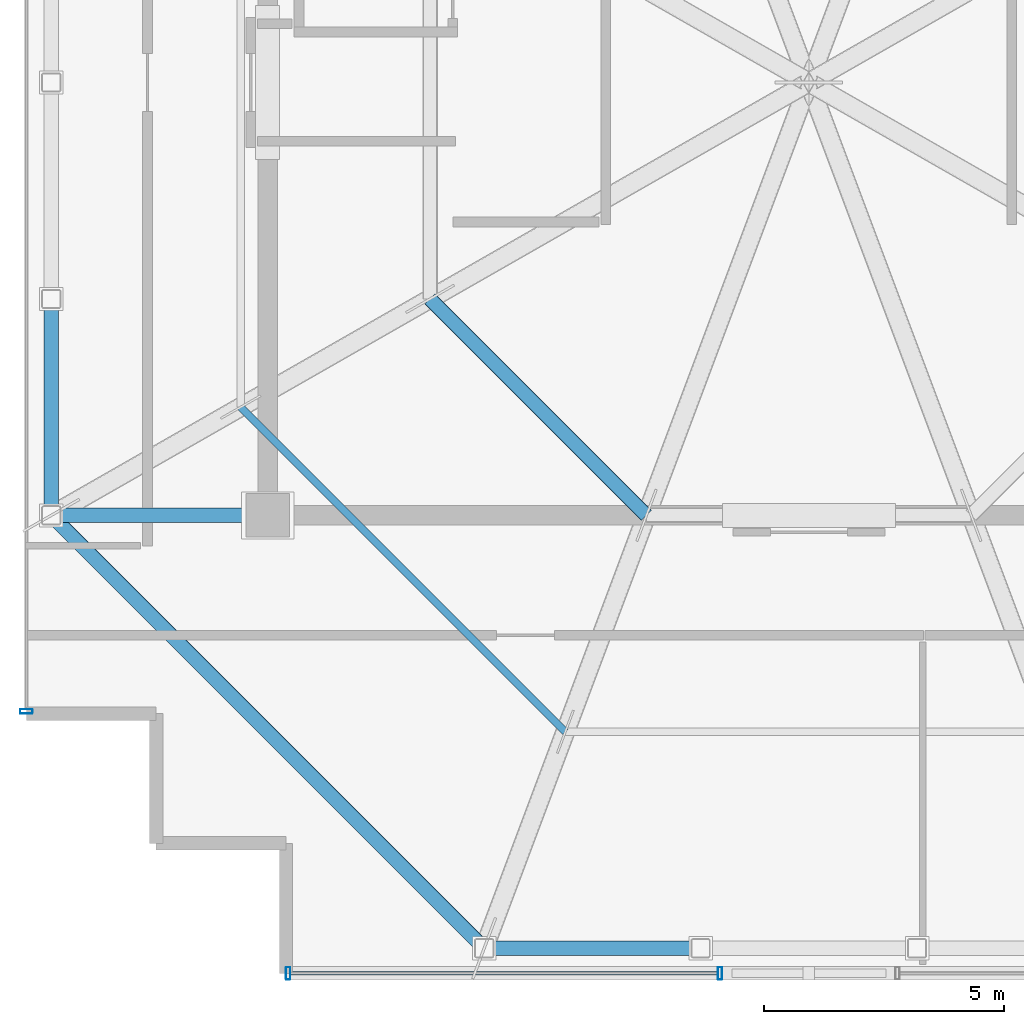
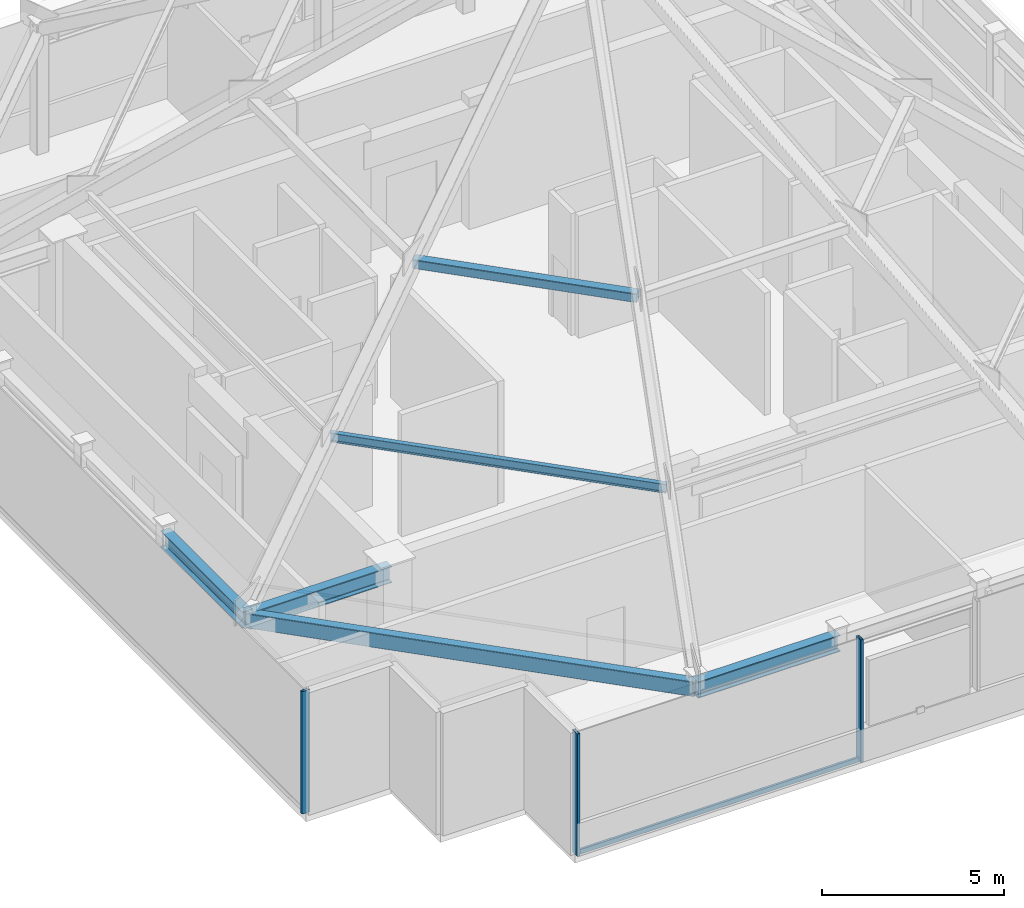
# One storey, part 2 of 17: 6 members, 4 beams, 2 elements without a shape of their own.
"""IFC4 building model written with IfcOpenShell, lengths in metres."""

import ifcopenshell
import ifcopenshell.guid

model = None  # the IFC model being written
_history = None  # IfcOwnerHistory: only IFC2X3 demands one
_inside = {}  # id of a spatial element -> (the spatial element, [elements in it])
_under = {}  # id of a project, library or spatial element -> (it, [spatial elements below it])
_declared = {}  # id of a project -> (the project, [libraries it declares])
_typed = {}  # id of a type object -> (the type object, [elements of that type])
_made_of = {}  # id of a material, layer set ... -> (it, [elements and type objects made of it])


def new_model(schema):
    """Start an empty IFC model of exactly this schema.

    Asked for "IFC4X3", IfcOpenShell would pick the latest addendum, in which some entities
    have other attributes; the version numbers below select the first issue.
    IFC2X3 requires an IfcOwnerHistory on every rooted entity: one is made here for all.
    """
    global model, _history
    if schema == "IFC4X3":
        model = ifcopenshell.file(schema_version=(4, 3, 0, 0))
    else:
        model = ifcopenshell.file(schema=schema)
    _inside.clear()
    _under.clear()
    _declared.clear()
    _typed.clear()
    _made_of.clear()
    _history = None
    if model.schema == "IFC2X3":
        org = make("IfcOrganization", Name="unknown")
        user = make(
            "IfcPersonAndOrganization",
            ThePerson=make("IfcPerson", FamilyName="unknown"),
            TheOrganization=org,
        )
        app = make(
            "IfcApplication",
            ApplicationDeveloper=org,
            Version="unknown",
            ApplicationFullName="unknown",
            ApplicationIdentifier="unknown",
        )
        _history = make(
            "IfcOwnerHistory",
            OwningUser=user,
            OwningApplication=app,
            ChangeAction="ADDED",
            CreationDate=0,
        )
    return model


def make(cls, **values):
    """One entity of the class cls with the attributes given. An attribute that is None is left unset."""
    return model.create_entity(
        cls, **{name: value for name, value in values.items() if value is not None}
    )


def rooted(cls, **values):
    """An entity with a GlobalId (a new one), such as an element, a storey or a relation."""
    return make(cls, GlobalId=ifcopenshell.guid.new(), OwnerHistory=_history, **values)


def si_unit(unit_type, name, prefix=None):
    """IfcSIUnit, for example si_unit("LENGTHUNIT", "METRE", prefix="MILLI")."""
    return make("IfcSIUnit", UnitType=unit_type, Prefix=prefix, Name=name)


def assignment(units):
    """IfcUnitAssignment: the units of a project."""
    return None if units is None else make("IfcUnitAssignment", Units=units)


def point(xyz):
    """IfcCartesianPoint."""
    return None if xyz is None else make("IfcCartesianPoint", Coordinates=xyz)


def direction(xyz):
    """IfcDirection."""
    return None if xyz is None else make("IfcDirection", DirectionRatios=xyz)


def frame(location, z_axis=None, x_axis=None):
    """IfcAxis2Placement3D, a coordinate frame: its origin and axes. An axis left out is left unset."""
    return make(
        "IfcAxis2Placement3D",
        Location=point(location),
        Axis=direction(z_axis),
        RefDirection=direction(x_axis),
    )


def frame_2d(location, x_axis=None):
    """IfcAxis2Placement2D, a coordinate frame in the plane: its origin and x axis."""
    return make(
        "IfcAxis2Placement2D", Location=point(location), RefDirection=direction(x_axis)
    )


def origin():
    """The frame at (0, 0, 0) with its axes left unset."""
    return frame((0.0, 0.0, 0.0))


def origin_2d():
    """The frame at (0, 0) in the plane with its x axis left unset."""
    return frame_2d((0.0, 0.0))


def place(relative_to, where):
    """IfcLocalPlacement: puts the frame where relative to a parent placement (None: the world)."""
    return make(
        "IfcLocalPlacement", PlacementRelTo=relative_to, RelativePlacement=where
    )


def context(
    kind, dimensions, precision=None, world=None, true_north=None, identifier=None
):
    """IfcGeometricRepresentationContext, for example the 3D "Model" context."""
    return make(
        "IfcGeometricRepresentationContext",
        ContextIdentifier=identifier,
        ContextType=kind,
        CoordinateSpaceDimension=dimensions,
        Precision=precision,
        WorldCoordinateSystem=world,
        TrueNorth=true_north,
    )


def subcontext(parent, identifier, kind, view, scale=None):
    """IfcGeometricRepresentationSubContext, for example "Body" below "Model"."""
    return make(
        "IfcGeometricRepresentationSubContext",
        ContextIdentifier=identifier,
        ContextType=kind,
        ParentContext=parent,
        TargetScale=scale,
        TargetView=view,
    )


def project(units=None, contexts=None):
    """IfcProject with its units and contexts."""
    return rooted(
        "IfcProject",
        Name="project",
        RepresentationContexts=contexts,
        UnitsInContext=assignment(units),
    )


def spatial(cls, under=None, at=None, **own):
    """A site, building, storey or space (cls), placed at a placement, below another one or the project."""
    s = rooted(cls, ObjectPlacement=at, **own)
    if under is not None:
        _under.setdefault(under.id(), (under, []))[1].append(s)
    return s


def profile(cls, at=None, kind="AREA", **sizes):
    """A parametric profile (cls). Its sizes go by their IFC names, for example OverallWidth=200.0."""
    return make(cls, ProfileType=kind, Position=at, **sizes)


def hollow_rectangle(**sizes):
    """IfcRectangleHollowProfileDef."""
    return profile("IfcRectangleHollowProfileDef", **sizes)


def i_section(**sizes):
    """IfcIShapeProfileDef."""
    return profile("IfcIShapeProfileDef", **sizes)


def extrude(swept, where, along, depth):
    """IfcExtrudedAreaSolid: the profile swept, set in the frame where, extruded along a direction by depth."""
    return make(
        "IfcExtrudedAreaSolid",
        SweptArea=swept,
        Position=where,
        ExtrudedDirection=direction(along),
        Depth=depth,
    )


def shape(context_of_items, identifier, shape_type, items):
    """IfcShapeRepresentation: the items that make up one representation, for example the "Body"."""
    return make(
        "IfcShapeRepresentation",
        ContextOfItems=context_of_items,
        RepresentationIdentifier=identifier,
        RepresentationType=shape_type,
        Items=items,
    )


def source(mapping_origin, context_of_items, identifier, shape_type, items):
    """IfcRepresentationMap: a shape defined once, which mapped items show again and again."""
    return make(
        "IfcRepresentationMap",
        MappingOrigin=mapping_origin,
        MappedRepresentation=shape(context_of_items, identifier, shape_type, items),
    )


def transform(
    local_origin,
    x_axis=None,
    y_axis=None,
    z_axis=None,
    scale=None,
    scale2=None,
    scale3=None,
    uniform=True,
):
    """IfcCartesianTransformationOperator3D, or its non-uniform kind. x_axis, y_axis, z_axis: its Axis1, 2, 3."""
    if uniform:
        return make(
            "IfcCartesianTransformationOperator3D",
            Axis1=direction(x_axis),
            Axis2=direction(y_axis),
            LocalOrigin=point(local_origin),
            Scale=scale,
            Axis3=direction(z_axis),
        )
    return make(
        "IfcCartesianTransformationOperator3DnonUniform",
        Axis1=direction(x_axis),
        Axis2=direction(y_axis),
        LocalOrigin=point(local_origin),
        Scale=scale,
        Axis3=direction(z_axis),
        Scale2=scale2,
        Scale3=scale3,
    )


def mapped(mapping_source, mapping_target):
    """IfcMappedItem: shows the shape of a source again, moved by a transform."""
    return make(
        "IfcMappedItem", MappingSource=mapping_source, MappingTarget=mapping_target
    )


def material(Name=None, Category=None):
    """IfcMaterial."""
    return make("IfcMaterial", Name=Name, Category=Category)


def layer(
    of_material, thickness, ventilated=None, Name=None, Category=None, Priority=None
):
    """IfcMaterialLayer: one layer of a wall or slab, of a material (None: an air gap)."""
    return make(
        "IfcMaterialLayer",
        Material=of_material,
        LayerThickness=thickness,
        IsVentilated=ventilated,
        Name=Name,
        Category=Category,
        Priority=Priority,
    )


def layer_set(layers, Name=None):
    """IfcMaterialLayerSet."""
    return make("IfcMaterialLayerSet", MaterialLayers=layers, LayerSetName=Name)


def material_profile(
    of_material, cross_section, Name=None, Category=None, Priority=None
):
    """IfcMaterialProfile: a cross section and its material."""
    return make(
        "IfcMaterialProfile",
        Name=Name,
        Material=of_material,
        Profile=cross_section,
        Priority=Priority,
        Category=Category,
    )


def profile_set(profiles, Name=None, composite=None):
    """IfcMaterialProfileSet."""
    return make(
        "IfcMaterialProfileSet",
        Name=Name,
        MaterialProfiles=profiles,
        CompositeProfile=composite,
    )


def made_of(thing, what):
    """Note that an element or type object is made of a material, layer set ...; save() writes the relation."""
    if what is not None:
        _made_of.setdefault(what.id(), (what, []))[1].append(thing)
    return thing


def type_object(cls, material=None, **own):
    """A type object (cls), such as IfcWallType, which elements share."""
    return made_of(rooted(cls, **own), material)


def element(
    cls,
    number,
    at=None,
    inside=None,
    cuts=None,
    type_object=None,
    material=None,
    context=None,
    identifier="Body",
    shape_type=None,
    held_by="IfcProductDefinitionShape",
    body=None,
    shapes=None,
    **own,
):
    """One element of the class cls, such as IfcWall. Its Tag is "e" and its number.

    at: its placement. inside: the storey or other place that contains it. cuts: it is an
    opening in that element (IfcRelVoidsElement). A single representation is given by context,
    identifier, shape_type and body (its items); several are given by shapes. held_by: the class
    of the entity that holds the representations. save() writes the other relations.
    """
    e = rooted(cls, Tag="e%d" % number, ObjectPlacement=at, **own)
    if body is not None:
        shapes = [shape(context, identifier, shape_type, body)]
    if shapes is not None:
        e.Representation = make(held_by, Representations=shapes)
    if inside is not None:
        _inside.setdefault(inside.id(), (inside, []))[1].append(e)
    if cuts is not None:
        rooted(
            "IfcRelVoidsElement", RelatingBuildingElement=cuts, RelatedOpeningElement=e
        )
    if type_object is not None:
        _typed.setdefault(type_object.id(), (type_object, []))[1].append(e)
    return made_of(e, material)


def aggregate(whole, parts):
    """IfcRelAggregates: a whole, such as a stair, and the parts it consists of."""
    return rooted("IfcRelAggregates", RelatingObject=whole, RelatedObjects=parts)


def save(model, path):
    """Write the relations noted so far, then the file.

    IfcRelAggregates (storeys below a building ...), IfcRelContainedInSpatialStructure (elements
    in a storey), IfcRelDefinesByType, IfcRelAssociatesMaterial and IfcRelDeclares: one each for
    every whole, place, type object, material and project.
    """
    for whole, parts in _under.values():
        aggregate(whole, parts)
    for where, things in _inside.values():
        rooted(
            "IfcRelContainedInSpatialStructure",
            RelatedElements=things,
            RelatingStructure=where,
        )
    for kind, things in _typed.values():
        rooted("IfcRelDefinesByType", RelatedObjects=things, RelatingType=kind)
    for what, things in _made_of.values():
        rooted("IfcRelAssociatesMaterial", RelatedObjects=things, RelatingMaterial=what)
    for by, libraries in _declared.values():
        rooted("IfcRelDeclares", RelatingContext=by, RelatedDefinitions=libraries)
    model.write(path)


model = new_model("IFC4")

# Units and contexts
model_context = context("Model", 3, precision=1e-05, world=origin(), true_north=direction((0.0, 1.0)))
body_context = subcontext(model_context, "Body", "Model", "MODEL_VIEW")
ifc_project = project(units=[si_unit("LENGTHUNIT", "METRE"), si_unit("AREAUNIT", "SQUARE_METRE"), si_unit("VOLUMEUNIT", "CUBIC_METRE"), si_unit("PLANEANGLEUNIT", "RADIAN"), si_unit("MASSUNIT", "GRAM", prefix="KILO")], contexts=[model_context])

# Site, building, storey
site_placement = place(None, origin())
site = spatial("IfcSite", under=ifc_project, at=site_placement, CompositionType="ELEMENT")
building_placement = place(site_placement, origin())
building = spatial("IfcBuilding", under=site, at=building_placement, Name="Nefas-Gora Pilgrimage Tower", CompositionType="ELEMENT")
storey_placement = place(building_placement, frame((0.0, 0.0, 367.39990234375)))
storey = spatial("IfcBuildingStorey", under=building, at=storey_placement, Name="L92", CompositionType="ELEMENT", Elevation=367.39990234375)

# Beams
ifc_material_1 = material(Name="Steel S355", Category="steel")
ifc_material_profile_1 = material_profile(ifc_material_1, i_section(OverallWidth=0.300048828125, OverallDepth=0.550048828125, WebThickness=0.014892578125, FlangeThickness=0.029052734375, FilletRadius=0.027099609375, at=origin_2d()), Name="HEB 550")
ifc_profile_set_1 = profile_set([ifc_material_profile_1], Name="Steel S355")
beam_type_1 = type_object("IfcBeamType", Name="BM-SPN-HEB400", PredefinedType="SPANDREL", material=ifc_profile_set_1)
shared_shape_1 = source(origin(), body_context, "Body", "SweptSolid", [
    extrude(i_section(OverallWidth=0.300048828125, OverallDepth=0.550048828125, WebThickness=0.014892578125, FlangeThickness=0.029052734375, FilletRadius=0.027099609375, at=origin_2d()), origin(), (0.0, 0.0, 1.0), 4.5),
])
for number, where, z_axis, x_axis, name in (
    (1, (-15.75, -9.0, 3.8251953125), (0.0, 1.0, 0.0), (-1.0, 0.0, 0.0), "L92 SP-04 beam"),
    (2, (-6.75, -18.0, 3.8251953125), (1.0, 0.0, 0.0), (0.0, 1.0, 0.0), "L92 SP-04 beam"),
):
    element("IfcBeam", number, at=place(storey_placement, frame(where, z_axis=z_axis, x_axis=x_axis)), inside=storey, type_object=beam_type_1, Name=name, PredefinedType="SPANDREL", context=body_context, shape_type="MappedRepresentation", body=[
        mapped(shared_shape_1, transform((0.0, 0.0, 0.0), x_axis=(1.0, 0.0, 0.0), y_axis=(0.0, 1.0, 0.0), z_axis=(0.0, 0.0, 1.0), scale=1.0)),
    ])
ifc_material_profile_2 = material_profile(ifc_material_1, i_section(OverallWidth=0.300048828125, OverallDepth=0.550048828125, WebThickness=0.014892578125, FlangeThickness=0.029052734375, FilletRadius=0.027099609375, at=origin_2d()), Name="HEB 550")
ifc_profile_set_2 = profile_set([ifc_material_profile_2], Name="Steel S355")
beam_type_2 = type_object("IfcBeamType", Name="BM-GIR-HEB550", PredefinedType="BEAM", material=ifc_profile_set_2)
shared_shape_2 = source(origin(), body_context, "Body", "SweptSolid", [
    extrude(i_section(OverallWidth=0.300048828125, OverallDepth=0.550048828125, WebThickness=0.014892578125, FlangeThickness=0.029052734375, FilletRadius=0.027099609375, at=origin_2d()), origin(), (0.0, 0.0, 1.0), 4.5),
])
beam_1_placement = place(storey_placement, frame((-15.75, -9.0, 3.8251953125), z_axis=(1.0, 0.0, 0.0), x_axis=(0.0, 1.0, 0.0)))
element("IfcBeam", 3, at=beam_1_placement, inside=storey, type_object=beam_type_2, Name="L92 G-05 beam", PredefinedType="BEAM", context=body_context, shape_type="MappedRepresentation", body=[
    mapped(shared_shape_2, transform((0.0, 0.0, 0.0), x_axis=(1.0, 0.0, 0.0), y_axis=(0.0, 1.0, 0.0), z_axis=(0.0, 0.0, 1.0), scale=1.0)),
])
ifc_material_2 = material(Name="Steel S460", Category="steel")
ifc_material_profile_3 = material_profile(ifc_material_2, hollow_rectangle(XDim=0.300048828125, YDim=0.5, WallThickness=0.02001953125, InnerFilletRadius=0.02001953125, OuterFilletRadius=0.0400390625, at=origin_2d()), Name="RHS 500x300x20")
ifc_profile_set_3 = profile_set([ifc_material_profile_3], Name="Steel S460")
beam_type_3 = type_object("IfcBeamType", Name="BM-RING-RHS500", PredefinedType="SPANDREL", material=ifc_profile_set_3)
shared_shape_3 = source(origin(), body_context, "Body", "SweptSolid", [
    extrude(hollow_rectangle(XDim=0.300048828125, YDim=0.5, WallThickness=0.02001953125, InnerFilletRadius=0.02001953125, OuterFilletRadius=0.0400390625, at=origin_2d()), origin(), (0.0, 0.0, 1.0), 12.72802734375),
])
beam_2_placement = place(storey_placement, frame((-15.75, -9.0, 3.85009765625), z_axis=(0.707106781187, -0.707106781187, 0.0), x_axis=(0.707106781187, 0.707106781187, 0.0)))
element("IfcBeam", 4, at=beam_2_placement, inside=storey, type_object=beam_type_3, Name="CROWN FRAME Base Ring Beam 6", PredefinedType="SPANDREL", context=body_context, shape_type="MappedRepresentation", body=[
    mapped(shared_shape_3, transform((0.0, 0.0, 0.0), x_axis=(1.0, 0.0, 0.0), y_axis=(0.0, 1.0, 0.0), z_axis=(0.0, 0.0, 1.0), scale=1.0)),
])

# Members
ifc_material_profile_4 = material_profile(ifc_material_2, hollow_rectangle(XDim=0.300048828125, YDim=0.300048828125, WallThickness=0.01611328125, InnerFilletRadius=0.01611328125, OuterFilletRadius=0.031982421875, at=origin_2d()), Name="SHS 300x300x16")
ifc_profile_set_4 = profile_set([ifc_material_profile_4], Name="Steel S460")
member_type_1 = type_object("IfcMemberType", Name="MEM-CROWN-RING", PredefinedType="STRUT", material=ifc_profile_set_4)
shared_shape_4 = source(origin(), body_context, "Body", "SweptSolid", [
    extrude(hollow_rectangle(XDim=0.300048828125, YDim=0.300048828125, WallThickness=0.01611328125, InnerFilletRadius=0.01611328125, OuterFilletRadius=0.031982421875, at=origin_2d()), origin(), (0.0, 0.0, 1.0), 6.364013671875),
])
member_1_placement = place(storey_placement, frame((-7.875, -4.5, 10.31005859375), z_axis=(0.707106781187, -0.707106781187, 0.0), x_axis=(0.707106781187, 0.707106781187, 0.0)))
element("IfcMember", 5, at=member_1_placement, inside=storey, type_object=member_type_1, Name="CROWN FRAME Mid-Height Compression Strut 6", PredefinedType="STRUT", context=body_context, shape_type="MappedRepresentation", body=[
    mapped(shared_shape_4, transform((0.0, 0.0, 0.0), x_axis=(1.0, 0.0, 0.0), y_axis=(0.0, 1.0, 0.0), z_axis=(0.0, 0.0, 1.0), scale=1.0)),
])
ifc_material_profile_5 = material_profile(ifc_material_1, i_section(OverallWidth=0.14990234375, OverallDepth=0.300048828125, WebThickness=0.007080078125, FlangeThickness=0.0107421875, FilletRadius=0.014892578125, at=origin_2d()), Name="IPE 300")
ifc_profile_set_5 = profile_set([ifc_material_profile_5], Name="Steel S355")
member_type_2 = type_object("IfcMemberType", Name="MEM-CROWN-PURLIN", PredefinedType="PURLIN", material=ifc_profile_set_5)
shared_shape_5 = source(origin(), body_context, "Body", "SweptSolid", [
    extrude(i_section(OverallWidth=0.14990234375, OverallDepth=0.300048828125, WebThickness=0.007080078125, FlangeThickness=0.0107421875, FilletRadius=0.014892578125, at=origin_2d()), origin(), (0.0, 0.0, 1.0), 9.5458984375),
])
member_2_placement = place(storey_placement, frame((-11.8125, -6.75, 7.205078125), z_axis=(0.707106781187, -0.707106781187, 0.0), x_axis=(0.707106781187, 0.707106781187, 0.0)))
element("IfcMember", 6, at=member_2_placement, inside=storey, type_object=member_type_2, Name="CROWN FRAME Facet Purlin 6", PredefinedType="PURLIN", context=body_context, shape_type="MappedRepresentation", body=[
    mapped(shared_shape_5, transform((0.0, 0.0, 0.0), x_axis=(1.0, 0.0, 0.0), y_axis=(0.0, 1.0, 0.0), z_axis=(0.0, 0.0, 1.0), scale=1.0)),
])

# Curtain wall, member
ifc_material_3 = material(Name="Dark ceramic-fritted solar-control aluminium-glass curtain wall", Category="aluminium")
ifc_layer = layer(ifc_material_3, 0.219970703125)
ifc_layer_set = layer_set([ifc_layer], Name="Dark ceramic-fritted solar-control aluminium-glass curtain wall")
curtain_wall_type = type_object("IfcCurtainWallType", Name="CW-SYS-6", PredefinedType="NOTDEFINED", material=ifc_layer_set)
curtain_wall_1_placement = place(storey_placement, origin())
curtain_wall_1 = element("IfcCurtainWall", 7, at=curtain_wall_1_placement, inside=storey, type_object=curtain_wall_type, Name="L92 Unitised Curtain Wall CW6", PredefinedType="NOTDEFINED")
ifc_material_4 = material(Name="Anodised architectural aluminium", Category="aluminium")
ifc_material_profile_6 = material_profile(ifc_material_4, hollow_rectangle(XDim=0.080078125, YDim=0.159912109375, WallThickness=0.00439453125, InnerFilletRadius=0.00439453125, OuterFilletRadius=0.009033203125, at=origin_2d()), Name="ALU TRANSOM 80x160")
ifc_profile_set_6 = profile_set([ifc_material_profile_6], Name="Anodised architectural aluminium")
member_type_3 = type_object("IfcMemberType", Name="CWM-TRN-6", PredefinedType="USERDEFINED", material=ifc_profile_set_6)
shared_shape_6 = source(origin(), body_context, "Body", "SweptSolid", [
    extrude(hollow_rectangle(XDim=0.080078125, YDim=0.159912109375, WallThickness=0.00439453125, InnerFilletRadius=0.00439453125, OuterFilletRadius=0.009033203125, at=origin_2d()), origin(), (0.0, 0.0, 1.0), 8.89013671875),
])
member_3_placement = place(storey_placement, frame((-10.780029296875, -18.52001953125, 0.050048828125), z_axis=(1.0, 0.0, 0.0), x_axis=(0.0, 1.0, 0.0)))
member_3 = element("IfcMember", 8, at=member_3_placement, type_object=member_type_3, Name="CW6 Spandrel Transom", ObjectType="TRANSOM", PredefinedType="USERDEFINED", context=body_context, shape_type="MappedRepresentation", body=[
    mapped(shared_shape_6, transform((0.0, 0.0, 0.0), x_axis=(1.0, 0.0, 0.0), y_axis=(0.0, 1.0, 0.0), z_axis=(0.0, 0.0, 1.0), scale=1.0)),
])

curtain_wall_2_placement = place(storey_placement, origin())
curtain_wall_2 = element("IfcCurtainWall", 9, at=curtain_wall_2_placement, inside=storey, type_object=curtain_wall_type, Name="L92 Unitised Curtain Wall CW6", PredefinedType="NOTDEFINED")
ifc_material_profile_7 = material_profile(ifc_material_4, hollow_rectangle(XDim=0.090087890625, YDim=0.260009765625, WallThickness=0.006103515625, InnerFilletRadius=0.006103515625, OuterFilletRadius=0.011962890625, at=origin_2d()), Name="ALU MULLION 90x260")
ifc_profile_set_7 = profile_set([ifc_material_profile_7], Name="Anodised architectural aluminium")
member_type_4 = type_object("IfcMemberType", Name="CWM-MUL-6", PredefinedType="MULLION", material=ifc_profile_set_7)
shared_shape_7 = source(origin(), body_context, "Body", "SweptSolid", [
    extrude(hollow_rectangle(XDim=0.090087890625, YDim=0.260009765625, WallThickness=0.006103515625, InnerFilletRadius=0.006103515625, OuterFilletRadius=0.011962890625, at=origin_2d()), origin(), (0.0, 0.0, 1.0), 4.10009765625),
])
member_4_placement = place(storey_placement, frame((-16.27001953125, -13.074951171875, 0.0), z_axis=(0.0, 0.0, 1.0), x_axis=(0.0, -1.0, 0.0)))
member_4 = element("IfcMember", 10, at=member_4_placement, type_object=member_type_4, Name="CW6 Mullion 2", PredefinedType="MULLION", context=body_context, shape_type="MappedRepresentation", body=[
    mapped(shared_shape_7, transform((0.0, 0.0, 0.0), x_axis=(1.0, 0.0, 0.0), y_axis=(0.0, 1.0, 0.0), z_axis=(0.0, 0.0, 1.0), scale=1.0)),
])
aggregate(curtain_wall_2, [member_4])

# Member
member_5_placement = place(storey_placement, frame((-10.824951171875, -18.52001953125, 0.0), z_axis=(0.0, 0.0, 1.0), x_axis=(1.0, 0.0, 0.0)))
member_5 = element("IfcMember", 11, at=member_5_placement, type_object=member_type_4, Name="CW6 Mullion 1", PredefinedType="MULLION", context=body_context, shape_type="MappedRepresentation", body=[
    mapped(shared_shape_7, transform((0.0, 0.0, 0.0), x_axis=(1.0, 0.0, 0.0), y_axis=(0.0, 1.0, 0.0), z_axis=(0.0, 0.0, 1.0), scale=1.0)),
])

member_6_placement = place(storey_placement, frame((-1.844970703125, -18.52001953125, 0.0), z_axis=(0.0, 0.0, 1.0), x_axis=(1.0, 0.0, 0.0)))
member_6 = element("IfcMember", 12, at=member_6_placement, type_object=member_type_4, Name="CW6 Mullion 2", PredefinedType="MULLION", context=body_context, shape_type="MappedRepresentation", body=[
    mapped(shared_shape_7, transform((0.0, 0.0, 0.0), x_axis=(1.0, 0.0, 0.0), y_axis=(0.0, 1.0, 0.0), z_axis=(0.0, 0.0, 1.0), scale=1.0)),
])

aggregate(curtain_wall_1, [member_5, member_6, member_3])

save(model, "model.ifc")
